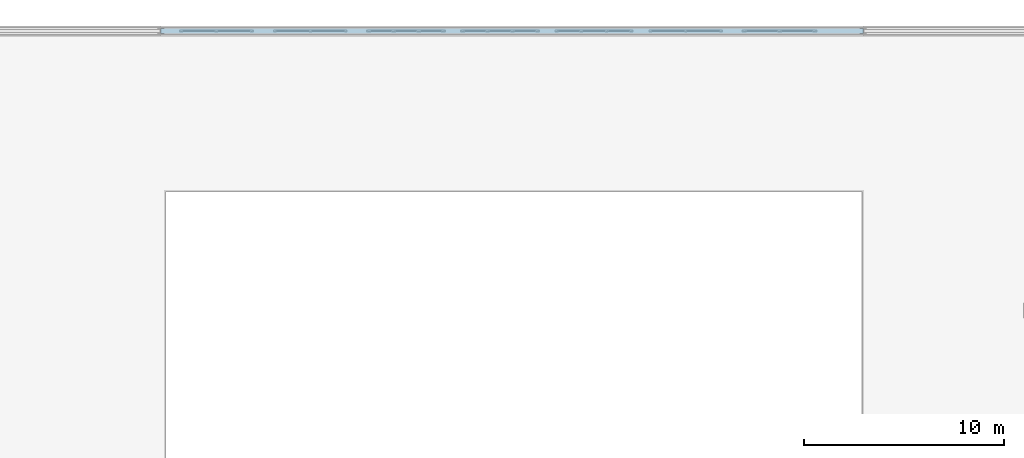
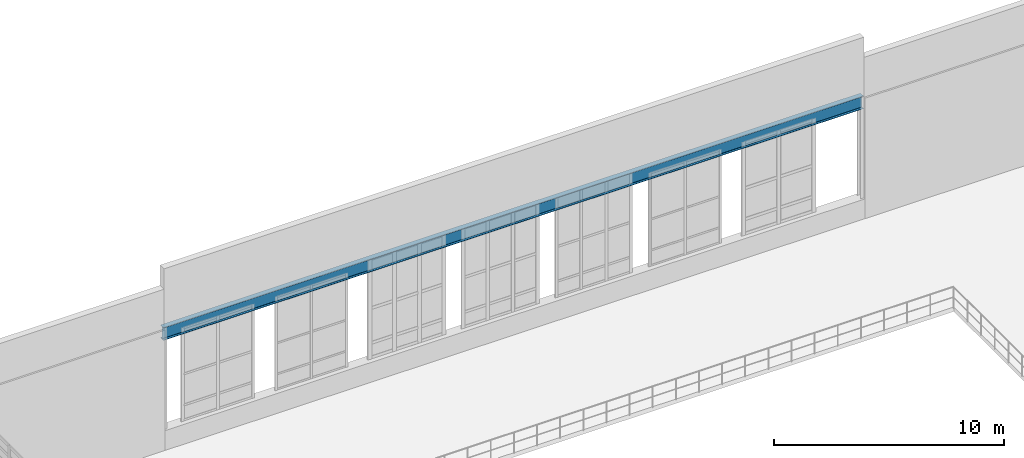
# One storey, part 150 of 197: 1 beam.
"""IFC4 building model written with IfcOpenShell, lengths in metres."""

from ifc_helpers import new_model, si_unit, derived_unit, direction, frame, origin, origin_2d, place, context, subcontext, project, spatial, i_section, extrude, material, material_profile, profile_set, type_object, element, save


model = new_model("IFC4")

# Units and contexts
model_context = context("Model", 3, precision=1e-05, world=origin(), true_north=direction((0.0, 1.0)))
body_context = subcontext(model_context, "Body", "Model", "MODEL_VIEW")
ifc_project = project(units=[si_unit("LENGTHUNIT", "METRE"), si_unit("AREAUNIT", "SQUARE_METRE"), si_unit("VOLUMEUNIT", "CUBIC_METRE"), si_unit("PLANEANGLEUNIT", "RADIAN"), si_unit("MASSUNIT", "GRAM", prefix="KILO"), derived_unit("THERMALTRANSMITTANCEUNIT", [(si_unit("POWERUNIT", "WATT"), 1), (si_unit("LENGTHUNIT", "METRE"), -2), (si_unit("THERMODYNAMICTEMPERATUREUNIT", "KELVIN"), -1)])], contexts=[model_context])

# Site, building, storey
site_placement = place(None, origin())
site = spatial("IfcSite", under=ifc_project, at=site_placement, CompositionType="ELEMENT")
building_placement = place(site_placement, origin())
building = spatial("IfcBuilding", under=site, at=building_placement, Name="Almenara Railside Exhibition Hall", CompositionType="ELEMENT")
storey_placement = place(building_placement, frame((0.0, 0.0, 5.39990234375)))
storey = spatial("IfcBuildingStorey", under=building, at=storey_placement, Name="L01", CompositionType="ELEMENT", Elevation=5.39990234375)

# Beam
ifc_material = material(Name="Structural steel S355JR", Category="steel")
ifc_material_profile = material_profile(ifc_material, i_section(OverallWidth=0.253662109375, OverallDepth=0.68359375, WebThickness=0.012451171875, FlangeThickness=0.01904296875, FilletRadius=0.01513671875, at=origin_2d()), Name="UB 686x254x140")
ifc_profile_set = profile_set([ifc_material_profile], Name="Structural steel S355JR")
beam_type = type_object("IfcBeamType", Name="Steel Heavy Deck Girder UB 686x254x140 S355JR", PredefinedType="USERDEFINED", material=ifc_profile_set)
beam_placement = place(storey_placement, frame((148.39990234375, 132.0, 6.108154296875), z_axis=(1.0, 0.0, 0.0), x_axis=(0.0, 1.0, 0.0)))
element("IfcBeam", 1, at=beam_placement, inside=storey, type_object=beam_type, Name="BM-CRNLNT-V2G2-132", ObjectType="GIRDER", PredefinedType="USERDEFINED", context=body_context, shape_type="SweptSolid", body=[
    extrude(i_section(OverallWidth=0.253662109375, OverallDepth=0.68359375, WebThickness=0.012451171875, FlangeThickness=0.01904296875, FilletRadius=0.01513671875, at=origin_2d()), origin(), (0.0, 0.0, 1.0), 35.2001953125),
])

save(model, "model.ifc")
